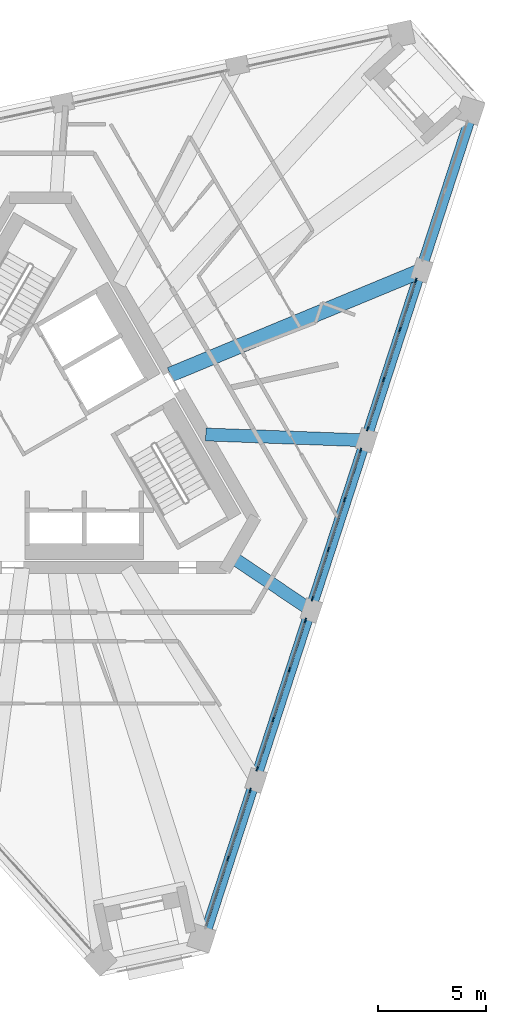
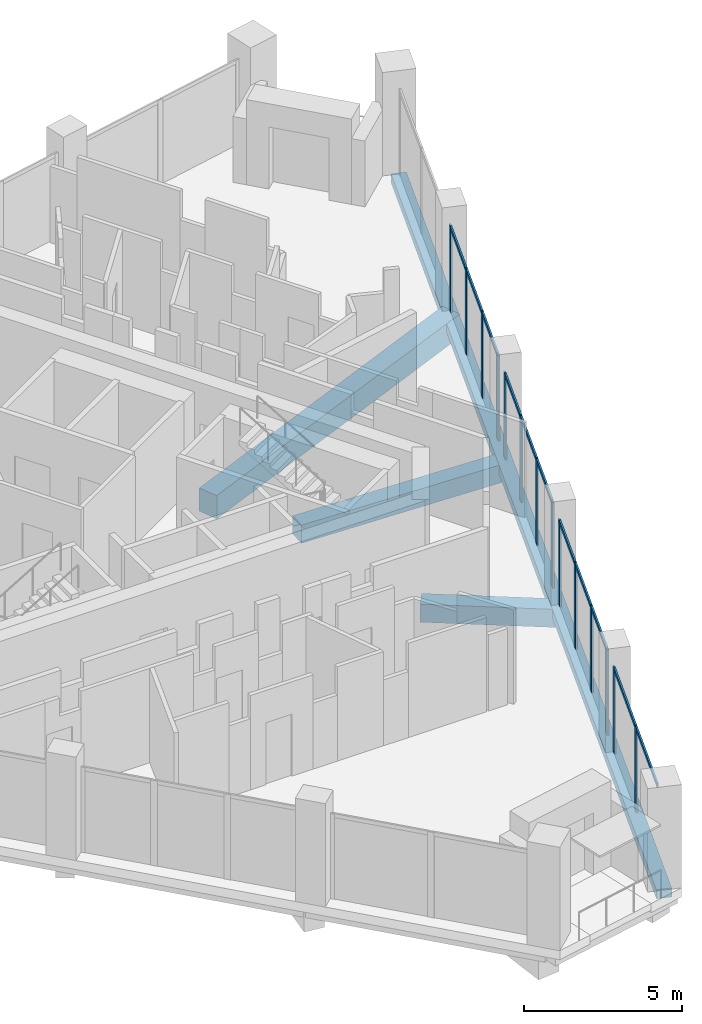
# One storey, part 5 of 17: 25 members, 4 beams, 4 elements without a shape of their own.
"""IFC4 building model written with IfcOpenShell, lengths in metres."""

from ifc_helpers import new_model, si_unit, direction, frame, origin, origin_2d, place, context, subcontext, project, spatial, rectangle, extrude, material, layer, layer_set, material_profile, profile_set, type_object, element, aggregate, save


model = new_model("IFC4")

# Units and contexts
model_context = context("Model", 3, precision=1e-05, world=origin(), true_north=direction((0.0, 1.0)))
body_context = subcontext(model_context, "Body", "Model", "MODEL_VIEW")
ifc_project = project(units=[si_unit("LENGTHUNIT", "METRE"), si_unit("AREAUNIT", "SQUARE_METRE"), si_unit("VOLUMEUNIT", "CUBIC_METRE"), si_unit("PLANEANGLEUNIT", "RADIAN"), si_unit("MASSUNIT", "GRAM", prefix="KILO")], contexts=[model_context])

# Site, building, storey
site_placement = place(None, origin())
site = spatial("IfcSite", under=ifc_project, at=site_placement, CompositionType="ELEMENT")
building_placement = place(site_placement, origin())
building = spatial("IfcBuilding", under=site, at=building_placement, Name="Tramontana Tower", CompositionType="ELEMENT")
storey_placement = place(building_placement, frame((0.0, 0.0, 348.39990234375)))
storey = spatial("IfcBuildingStorey", under=building, at=storey_placement, Name="L80", CompositionType="ELEMENT", Elevation=348.39990234375)

# Curtain wall, members
ifc_material_1 = material(Name="Aluminum extrusion", Category="aluminium")
ifc_layer = layer(ifc_material_1, 0.14990234375)
ifc_layer_set = layer_set([ifc_layer], Name="CW5 Top lounge curtain wall")
curtain_wall_type = type_object("IfcCurtainWallType", Name="CW5 Top lounge curtain wall", PredefinedType="NOTDEFINED", material=ifc_layer_set)
curtain_wall_1_placement = place(storey_placement, origin())
curtain_wall_1 = element("IfcCurtainWall", 1, at=curtain_wall_1_placement, inside=storey, type_object=curtain_wall_type, Name="CW5 curtain wall L80 face 1 bay 1", PredefinedType="NOTDEFINED")
ifc_material_2 = material(Name="Aluminum extrusion", Category="aluminium")
ifc_material_profile_1 = material_profile(ifc_material_2, rectangle(XDim=0.06005859375, YDim=0.219970703125, at=origin_2d()), Name="CW5-M Mullion 60 x 220")
ifc_profile_set_1 = profile_set([ifc_material_profile_1], Name="Aluminum extrusion")
member_type_1 = type_object("IfcMemberType", Name="CW5-M Mullion 60 x 220", PredefinedType="MULLION", material=ifc_profile_set_1)
member_1_placement = place(storey_placement, frame((8.720947265625, -20.00146484375, 0.0), z_axis=(0.0, 0.0, 1.0), x_axis=(-0.951056516295, 0.309016994375, 0.0)))
member_1 = element("IfcMember", 2, at=member_1_placement, type_object=member_type_1, Name="CW5 curtain wall L80 face 1 bay 1 mullion 2", PredefinedType="MULLION", context=body_context, shape_type="SweptSolid", body=[
    extrude(rectangle(XDim=0.06005859375, YDim=0.219970703125, at=origin_2d()), origin(), (0.0, 0.0, 1.0), 3.300048828125),
])
member_2_placement = place(storey_placement, frame((9.7490234375, -16.83740234375, 0.0), z_axis=(0.0, 0.0, 1.0), x_axis=(-0.951056516295, 0.309016994375, 0.0)))
member_2 = element("IfcMember", 3, at=member_2_placement, type_object=member_type_1, Name="CW5 curtain wall L80 face 1 bay 1 mullion 3", PredefinedType="MULLION", context=body_context, shape_type="SweptSolid", body=[
    extrude(rectangle(XDim=0.06005859375, YDim=0.219970703125, at=origin_2d()), origin(), (0.0, 0.0, 1.0), 3.300048828125),
])

curtain_wall_2_placement = place(storey_placement, origin())
curtain_wall_2 = element("IfcCurtainWall", 4, at=curtain_wall_2_placement, inside=storey, type_object=curtain_wall_type, Name="CW5 curtain wall L80 face 1 bay 2", PredefinedType="NOTDEFINED")
member_3_placement = place(storey_placement, frame((10.07666015625, -15.829345703125, 0.0), z_axis=(0.0, 0.0, 1.0), x_axis=(-0.951056516295, 0.309016994375, 0.0)))
member_3 = element("IfcMember", 5, at=member_3_placement, type_object=member_type_1, Name="CW5 curtain wall L80 face 1 bay 2 mullion 1", PredefinedType="MULLION", context=body_context, shape_type="SweptSolid", body=[
    extrude(rectangle(XDim=0.06005859375, YDim=0.219970703125, at=origin_2d()), origin(), (0.0, 0.0, 1.0), 3.300048828125),
])
member_4_placement = place(storey_placement, frame((10.82080078125, -13.539306640625, 0.0), z_axis=(0.0, 0.0, 1.0), x_axis=(-0.951056516295, 0.309016994375, 0.0)))
member_4 = element("IfcMember", 6, at=member_4_placement, type_object=member_type_1, Name="CW5 curtain wall L80 face 1 bay 2 mullion 2", PredefinedType="MULLION", context=body_context, shape_type="SweptSolid", body=[
    extrude(rectangle(XDim=0.06005859375, YDim=0.219970703125, at=origin_2d()), origin(), (0.0, 0.0, 1.0), 3.300048828125),
])
member_5_placement = place(storey_placement, frame((11.57421875, -11.220703125, 0.0), z_axis=(0.0, 0.0, 1.0), x_axis=(-0.951056516295, 0.309016994375, 0.0)))
member_5 = element("IfcMember", 7, at=member_5_placement, type_object=member_type_1, Name="CW5 curtain wall L80 face 1 bay 2 mullion 3", PredefinedType="MULLION", context=body_context, shape_type="SweptSolid", body=[
    extrude(rectangle(XDim=0.06005859375, YDim=0.219970703125, at=origin_2d()), origin(), (0.0, 0.0, 1.0), 3.300048828125),
])
member_6_placement = place(storey_placement, frame((12.318115234375, -8.9306640625, 0.0), z_axis=(0.0, 0.0, 1.0), x_axis=(-0.951056516295, 0.309016994375, 0.0)))
member_6 = element("IfcMember", 8, at=member_6_placement, type_object=member_type_1, Name="CW5 curtain wall L80 face 1 bay 2 mullion 4", PredefinedType="MULLION", context=body_context, shape_type="SweptSolid", body=[
    extrude(rectangle(XDim=0.06005859375, YDim=0.219970703125, at=origin_2d()), origin(), (0.0, 0.0, 1.0), 3.300048828125),
])

curtain_wall_3_placement = place(storey_placement, origin())
curtain_wall_3 = element("IfcCurtainWall", 9, at=curtain_wall_3_placement, inside=storey, type_object=curtain_wall_type, Name="CW5 curtain wall L80 face 1 bay 3", PredefinedType="NOTDEFINED")
member_7_placement = place(storey_placement, frame((12.645751953125, -7.92236328125, 0.0), z_axis=(0.0, 0.0, 1.0), x_axis=(-0.951056516295, 0.309016994375, 0.0)))
member_7 = element("IfcMember", 10, at=member_7_placement, type_object=member_type_1, Name="CW5 curtain wall L80 face 1 bay 3 mullion 1", PredefinedType="MULLION", context=body_context, shape_type="SweptSolid", body=[
    extrude(rectangle(XDim=0.06005859375, YDim=0.219970703125, at=origin_2d()), origin(), (0.0, 0.0, 1.0), 3.300048828125),
])
member_8_placement = place(storey_placement, frame((13.389892578125, -5.63232421875, 0.0), z_axis=(0.0, 0.0, 1.0), x_axis=(-0.951056516295, 0.309016994375, 0.0)))
member_8 = element("IfcMember", 11, at=member_8_placement, type_object=member_type_1, Name="CW5 curtain wall L80 face 1 bay 3 mullion 2", PredefinedType="MULLION", context=body_context, shape_type="SweptSolid", body=[
    extrude(rectangle(XDim=0.06005859375, YDim=0.219970703125, at=origin_2d()), origin(), (0.0, 0.0, 1.0), 3.300048828125),
])
member_9_placement = place(storey_placement, frame((14.143310546875, -3.313720703125, 0.0), z_axis=(0.0, 0.0, 1.0), x_axis=(-0.951056516295, 0.309016994375, 0.0)))
member_9 = element("IfcMember", 12, at=member_9_placement, type_object=member_type_1, Name="CW5 curtain wall L80 face 1 bay 3 mullion 3", PredefinedType="MULLION", context=body_context, shape_type="SweptSolid", body=[
    extrude(rectangle(XDim=0.06005859375, YDim=0.219970703125, at=origin_2d()), origin(), (0.0, 0.0, 1.0), 3.300048828125),
])
member_10_placement = place(storey_placement, frame((14.88720703125, -1.023681640625, 0.0), z_axis=(0.0, 0.0, 1.0), x_axis=(-0.951056516295, 0.309016994375, 0.0)))
member_10 = element("IfcMember", 13, at=member_10_placement, type_object=member_type_1, Name="CW5 curtain wall L80 face 1 bay 3 mullion 4", PredefinedType="MULLION", context=body_context, shape_type="SweptSolid", body=[
    extrude(rectangle(XDim=0.06005859375, YDim=0.219970703125, at=origin_2d()), origin(), (0.0, 0.0, 1.0), 3.300048828125),
])

curtain_wall_4_placement = place(storey_placement, origin())
curtain_wall_4 = element("IfcCurtainWall", 14, at=curtain_wall_4_placement, inside=storey, type_object=curtain_wall_type, Name="CW5 curtain wall L80 face 1 bay 4", PredefinedType="NOTDEFINED")
member_11_placement = place(storey_placement, frame((15.21484375, -0.015380859375, 0.0), z_axis=(0.0, 0.0, 1.0), x_axis=(-0.951056516295, 0.309016994375, 0.0)))
member_11 = element("IfcMember", 15, at=member_11_placement, type_object=member_type_1, Name="CW5 curtain wall L80 face 1 bay 4 mullion 1", PredefinedType="MULLION", context=body_context, shape_type="SweptSolid", body=[
    extrude(rectangle(XDim=0.06005859375, YDim=0.219970703125, at=origin_2d()), origin(), (0.0, 0.0, 1.0), 3.300048828125),
])
member_12_placement = place(storey_placement, frame((15.958984375, 2.274658203125, 0.0), z_axis=(0.0, 0.0, 1.0), x_axis=(-0.951056516295, 0.309016994375, 0.0)))
member_12 = element("IfcMember", 16, at=member_12_placement, type_object=member_type_1, Name="CW5 curtain wall L80 face 1 bay 4 mullion 2", PredefinedType="MULLION", context=body_context, shape_type="SweptSolid", body=[
    extrude(rectangle(XDim=0.06005859375, YDim=0.219970703125, at=origin_2d()), origin(), (0.0, 0.0, 1.0), 3.300048828125),
])
member_13_placement = place(storey_placement, frame((16.71240234375, 4.59326171875, 0.0), z_axis=(0.0, 0.0, 1.0), x_axis=(-0.951056516295, 0.309016994375, 0.0)))
member_13 = element("IfcMember", 17, at=member_13_placement, type_object=member_type_1, Name="CW5 curtain wall L80 face 1 bay 4 mullion 3", PredefinedType="MULLION", context=body_context, shape_type="SweptSolid", body=[
    extrude(rectangle(XDim=0.06005859375, YDim=0.219970703125, at=origin_2d()), origin(), (0.0, 0.0, 1.0), 3.300048828125),
])
member_14_placement = place(storey_placement, frame((17.45654296875, 6.88330078125, 0.0), z_axis=(0.0, 0.0, 1.0), x_axis=(-0.951056516295, 0.309016994375, 0.0)))
member_14 = element("IfcMember", 18, at=member_14_placement, type_object=member_type_1, Name="CW5 curtain wall L80 face 1 bay 4 mullion 4", PredefinedType="MULLION", context=body_context, shape_type="SweptSolid", body=[
    extrude(rectangle(XDim=0.06005859375, YDim=0.219970703125, at=origin_2d()), origin(), (0.0, 0.0, 1.0), 3.300048828125),
])

# Member
ifc_material_3 = material(Name="Aluminum extrusion", Category="aluminium")
ifc_material_profile_2 = material_profile(ifc_material_3, rectangle(XDim=0.06005859375, YDim=0.14990234375, at=origin_2d()), Name="CW5-T Transom 60 x 150")
ifc_profile_set_2 = profile_set([ifc_material_profile_2], Name="Aluminum extrusion")
member_type_2 = type_object("IfcMemberType", Name="CW5-T Transom 60 x 150", PredefinedType="USERDEFINED", material=ifc_profile_set_2)
member_15_placement = place(storey_placement, frame((7.7021484375, -23.13720703125, 3.239990234375), z_axis=(0.308999895303, 0.951062071951, 0.0), x_axis=(-0.951062071951, 0.308999895303, 0.0)))
member_15 = element("IfcMember", 19, at=member_15_placement, type_object=member_type_2, Name="CW5 curtain wall L80 face 1 bay 1 transom 1.1", ObjectType="TRANSOM", PredefinedType="USERDEFINED", context=body_context, shape_type="SweptSolid", body=[
    extrude(rectangle(XDim=0.06005859375, YDim=0.14990234375, at=origin_2d()), origin(), (0.0, 0.0, 1.0), 3.26708984375),
])

member_16_placement = place(storey_placement, frame((8.730224609375, -19.97314453125, 3.239990234375), z_axis=(0.308999895303, 0.951062071951, 0.0), x_axis=(-0.951062071951, 0.308999895303, 0.0)))
member_16 = element("IfcMember", 20, at=member_16_placement, type_object=member_type_2, Name="CW5 curtain wall L80 face 1 bay 1 transom 2.1", ObjectType="TRANSOM", PredefinedType="USERDEFINED", context=body_context, shape_type="SweptSolid", body=[
    extrude(rectangle(XDim=0.06005859375, YDim=0.14990234375, at=origin_2d()), origin(), (0.0, 0.0, 1.0), 3.26708984375),
])

aggregate(curtain_wall_1, [member_1, member_2, member_15, member_16])

member_17_placement = place(storey_placement, frame((10.0859375, -15.80078125, 3.239990234375), z_axis=(0.309043749092, 0.951047822745, 0.0), x_axis=(-0.951047822745, 0.309043749092, 0.0)))
member_17 = element("IfcMember", 21, at=member_17_placement, type_object=member_type_2, Name="CW5 curtain wall L80 face 1 bay 2 transom 1.1", ObjectType="TRANSOM", PredefinedType="USERDEFINED", context=body_context, shape_type="SweptSolid", body=[
    extrude(rectangle(XDim=0.06005859375, YDim=0.14990234375, at=origin_2d()), origin(), (0.0, 0.0, 1.0), 2.347900390625),
])

member_18_placement = place(storey_placement, frame((10.830078125, -13.5107421875, 3.239990234375), z_axis=(0.30904196204, 0.951048403447, 0.0), x_axis=(-0.951048403447, 0.30904196204, 0.0)))
member_18 = element("IfcMember", 22, at=member_18_placement, type_object=member_type_2, Name="CW5 curtain wall L80 face 1 bay 2 transom 2.1", ObjectType="TRANSOM", PredefinedType="USERDEFINED", context=body_context, shape_type="SweptSolid", body=[
    extrude(rectangle(XDim=0.06005859375, YDim=0.14990234375, at=origin_2d()), origin(), (0.0, 0.0, 1.0), 2.3779296875),
])

member_19_placement = place(storey_placement, frame((11.58349609375, -11.192138671875, 3.239990234375), z_axis=(0.308919138239, 0.951088306116, 0.0), x_axis=(-0.951088306116, 0.308919138239, 0.0)))
member_19 = element("IfcMember", 23, at=member_19_placement, type_object=member_type_2, Name="CW5 curtain wall L80 face 1 bay 2 transom 3.1", ObjectType="TRANSOM", PredefinedType="USERDEFINED", context=body_context, shape_type="SweptSolid", body=[
    extrude(rectangle(XDim=0.06005859375, YDim=0.14990234375, at=origin_2d()), origin(), (0.0, 0.0, 1.0), 2.347900390625),
])

aggregate(curtain_wall_2, [member_3, member_4, member_5, member_6, member_17, member_18, member_19])

member_20_placement = place(storey_placement, frame((12.655029296875, -7.893798828125, 3.239990234375), z_axis=(0.309043749092, 0.951047822745, 0.0), x_axis=(-0.951047822745, 0.309043749092, 0.0)))
member_20 = element("IfcMember", 24, at=member_20_placement, type_object=member_type_2, Name="CW5 curtain wall L80 face 1 bay 3 transom 1.1", ObjectType="TRANSOM", PredefinedType="USERDEFINED", context=body_context, shape_type="SweptSolid", body=[
    extrude(rectangle(XDim=0.06005859375, YDim=0.14990234375, at=origin_2d()), origin(), (0.0, 0.0, 1.0), 2.347900390625),
])

member_21_placement = place(storey_placement, frame((13.399169921875, -5.603759765625, 3.239990234375), z_axis=(0.30904196204, 0.951048403447, 0.0), x_axis=(-0.951048403447, 0.30904196204, 0.0)))
member_21 = element("IfcMember", 25, at=member_21_placement, type_object=member_type_2, Name="CW5 curtain wall L80 face 1 bay 3 transom 2.1", ObjectType="TRANSOM", PredefinedType="USERDEFINED", context=body_context, shape_type="SweptSolid", body=[
    extrude(rectangle(XDim=0.06005859375, YDim=0.14990234375, at=origin_2d()), origin(), (0.0, 0.0, 1.0), 2.3779296875),
])

member_22_placement = place(storey_placement, frame((14.152587890625, -3.28515625, 3.239990234375), z_axis=(0.309043749092, 0.951047822745, 0.0), x_axis=(-0.951047822745, 0.309043749092, 0.0)))
member_22 = element("IfcMember", 26, at=member_22_placement, type_object=member_type_2, Name="CW5 curtain wall L80 face 1 bay 3 transom 3.1", ObjectType="TRANSOM", PredefinedType="USERDEFINED", context=body_context, shape_type="SweptSolid", body=[
    extrude(rectangle(XDim=0.06005859375, YDim=0.14990234375, at=origin_2d()), origin(), (0.0, 0.0, 1.0), 2.347900390625),
])

aggregate(curtain_wall_3, [member_7, member_8, member_9, member_10, member_20, member_21, member_22])

member_23_placement = place(storey_placement, frame((15.22412109375, 0.012939453125, 3.239990234375), z_axis=(0.309013189131, 0.951057752685, 0.0), x_axis=(-0.951057752685, 0.309013189131, 0.0)))
member_23 = element("IfcMember", 27, at=member_23_placement, type_object=member_type_2, Name="CW5 curtain wall L80 face 1 bay 4 transom 1.1", ObjectType="TRANSOM", PredefinedType="USERDEFINED", context=body_context, shape_type="SweptSolid", body=[
    extrude(rectangle(XDim=0.06005859375, YDim=0.14990234375, at=origin_2d()), origin(), (0.0, 0.0, 1.0), 2.34814453125),
])

member_24_placement = place(storey_placement, frame((15.96826171875, 2.30322265625, 3.239990234375), z_axis=(0.30904196204, 0.951048403447, 0.0), x_axis=(-0.951048403447, 0.30904196204, 0.0)))
member_24 = element("IfcMember", 28, at=member_24_placement, type_object=member_type_2, Name="CW5 curtain wall L80 face 1 bay 4 transom 2.1", ObjectType="TRANSOM", PredefinedType="USERDEFINED", context=body_context, shape_type="SweptSolid", body=[
    extrude(rectangle(XDim=0.06005859375, YDim=0.14990234375, at=origin_2d()), origin(), (0.0, 0.0, 1.0), 2.3779296875),
])

member_25_placement = place(storey_placement, frame((16.7216796875, 4.621826171875, 3.239990234375), z_axis=(0.309043749092, 0.951047822745, 0.0), x_axis=(-0.951047822745, 0.309043749092, 0.0)))
member_25 = element("IfcMember", 29, at=member_25_placement, type_object=member_type_2, Name="CW5 curtain wall L80 face 1 bay 4 transom 3.1", ObjectType="TRANSOM", PredefinedType="USERDEFINED", context=body_context, shape_type="SweptSolid", body=[
    extrude(rectangle(XDim=0.06005859375, YDim=0.14990234375, at=origin_2d()), origin(), (0.0, 0.0, 1.0), 2.347900390625),
])

aggregate(curtain_wall_4, [member_11, member_12, member_13, member_14, member_23, member_24, member_25])

# Beams
ifc_material_4 = material(Name="Concrete 40 MPa", Category="concrete")
ifc_material_profile_3 = material_profile(ifc_material_4, rectangle(XDim=0.5, YDim=0.35009765625, at=origin_2d()), Name="RC EDGE BEAM 500X350 40 MPa")
ifc_profile_set_3 = profile_set([ifc_material_profile_3], Name="Concrete 40 MPa")
beam_type_1 = type_object("IfcBeamType", Name="RC EDGE BEAM 500X350 40 MPa", PredefinedType="SPANDREL", material=ifc_profile_set_3)
beam_1_placement = place(storey_placement, frame((7.5849609375, -23.740478515625, -0.52490234375), z_axis=(0.309021003975, 0.951055213488, 0.0), x_axis=(-0.951055213488, 0.309021003975, 0.0)))
element("IfcBeam", 30, at=beam_1_placement, inside=storey, type_object=beam_type_1, Name="Spandrel beam S1 L80", PredefinedType="SPANDREL", context=body_context, shape_type="SweptSolid", body=[
    extrude(rectangle(XDim=0.5, YDim=0.35009765625, at=origin_2d()), origin(), (0.0, 0.0, 1.0), 40.46923828125),
])
ifc_material_5 = material(Name="Concrete 40 MPa", Category="concrete")
ifc_material_profile_4 = material_profile(ifc_material_5, rectangle(XDim=0.60009765625, YDim=0.699951171875, at=origin_2d()), Name="RC GIRDER 600X700 40 MPa")
ifc_profile_set_4 = profile_set([ifc_material_profile_4], Name="Concrete 40 MPa")
beam_type_2 = type_object("IfcBeamType", Name="RC GIRDER 600X700 40 MPa", PredefinedType="BEAM", material=ifc_profile_set_4)
beam_2_placement = place(storey_placement, frame((12.600830078125, -8.465087890625, -0.699951171875), z_axis=(-0.830077902204, 0.557647448011, 0.0), x_axis=(-0.557647448011, -0.830077902204, 0.0)))
element("IfcBeam", 31, at=beam_2_placement, inside=storey, type_object=beam_type_2, Name="Radial girder C8F06 L80", PredefinedType="BEAM", context=body_context, shape_type="SweptSolid", body=[
    extrude(rectangle(XDim=0.60009765625, YDim=0.699951171875, at=origin_2d()), origin(), (0.0, 0.0, 1.0), 4.4296875),
])
beam_3_placement = place(storey_placement, frame((15.169921875, -0.55810546875, -0.699951171875), z_axis=(-0.999324360611, 0.036753534393, 0.0), x_axis=(-0.036753534393, -0.999324360611, 0.0)))
element("IfcBeam", 32, at=beam_3_placement, inside=storey, type_object=beam_type_2, Name="Radial girder C8F07 L80", PredefinedType="BEAM", context=body_context, shape_type="SweptSolid", body=[
    extrude(rectangle(XDim=0.60009765625, YDim=0.699951171875, at=origin_2d()), origin(), (0.0, 0.0, 1.0), 7.486328125),
])
ifc_material_6 = material(Name="Concrete 40 MPa", Category="concrete")
ifc_material_profile_5 = material_profile(ifc_material_6, rectangle(XDim=0.699951171875, YDim=0.89990234375, at=origin_2d()), Name="RC GIRDER 700X900 40 MPa")
ifc_profile_set_5 = profile_set([ifc_material_profile_5], Name="Concrete 40 MPa")
beam_type_3 = type_object("IfcBeamType", Name="RC GIRDER 700X900 40 MPa", PredefinedType="BEAM", material=ifc_profile_set_5)
beam_4_placement = place(storey_placement, frame((17.739013671875, 7.348876953125, -0.7998046875), z_axis=(-0.923857326556, -0.382737037885, 0.0), x_axis=(0.382737037885, -0.923857326556, 0.0)))
element("IfcBeam", 33, at=beam_4_placement, inside=storey, type_object=beam_type_3, Name="Radial girder C8F08 L80", PredefinedType="BEAM", context=body_context, shape_type="SweptSolid", body=[
    extrude(rectangle(XDim=0.699951171875, YDim=0.89990234375, at=origin_2d()), origin(), (0.0, 0.0, 1.0), 12.667724609375),
])

save(model, "model.ifc")
